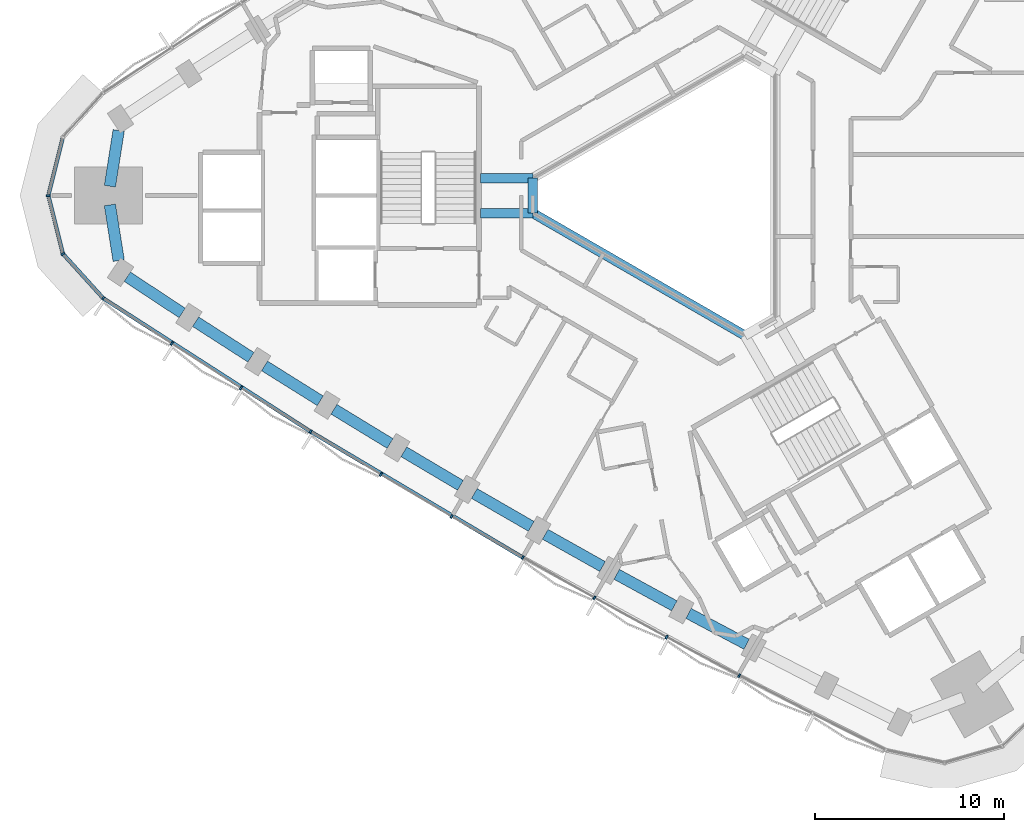
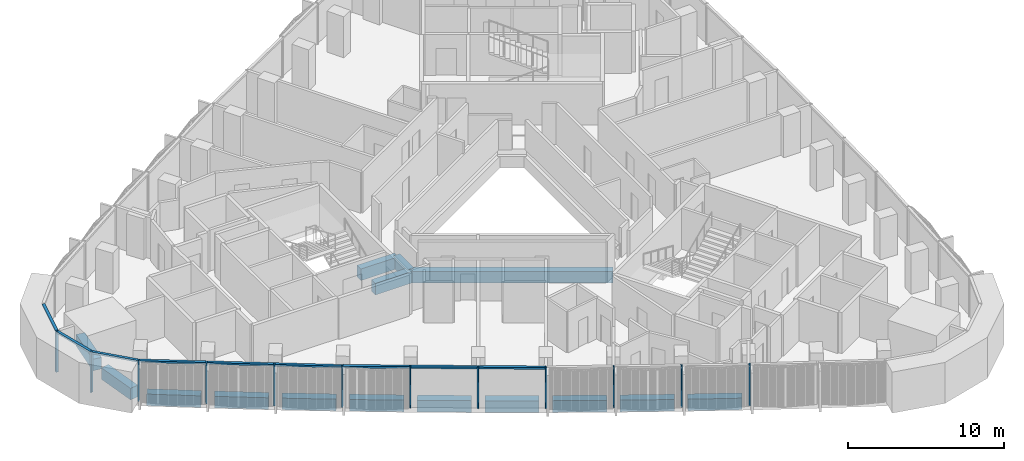
# One storey, part 2 of 15: 17 members, 15 beams, 2 elements without a shape of their own.
"""IFC4 building model written with IfcOpenShell, lengths in metres."""

from ifc_helpers import new_model, si_unit, direction, frame, origin, origin_2d, place, context, subcontext, project, spatial, rectangle, extrude, material, material_profile, profile_set, type_object, element, aggregate, save


model = new_model("IFC4")

# Units and contexts
model_context = context("Model", 3, precision=1e-05, world=origin(), true_north=direction((0.0, 1.0)))
body_context = subcontext(model_context, "Body", "Model", "MODEL_VIEW")
ifc_project = project(units=[si_unit("LENGTHUNIT", "METRE"), si_unit("AREAUNIT", "SQUARE_METRE"), si_unit("VOLUMEUNIT", "CUBIC_METRE"), si_unit("PLANEANGLEUNIT", "RADIAN"), si_unit("MASSUNIT", "GRAM", prefix="KILO")], contexts=[model_context])

# Site, building, storey
site_placement = place(None, origin())
site = spatial("IfcSite", under=ifc_project, at=site_placement, CompositionType="ELEMENT")
building_placement = place(site_placement, origin())
building = spatial("IfcBuilding", under=site, at=building_placement, Name="Tamra Quay Hotel Tower", CompositionType="ELEMENT")
storey_placement = place(building_placement, frame((0.0, 0.0, 136.0)))
storey = spatial("IfcBuildingStorey", under=building, at=storey_placement, Name="L33", CompositionType="ELEMENT", Elevation=136.0)

# Beams
ifc_material_1 = material(Name="Concrete M60", Category="concrete")
ifc_material_profile_1 = material_profile(ifc_material_1, rectangle(XDim=0.5, YDim=0.89990234375, at=origin_2d()), Name="ATRIUM EDGE BEAM RC 500x900")
ifc_profile_set_1 = profile_set([ifc_material_profile_1], Name="Concrete M60")
beam_type_1 = type_object("IfcBeamType", Name="ATRIUM EDGE BEAM RC 500x900", PredefinedType="BEAM", material=ifc_profile_set_1)
beam_1_placement = place(storey_placement, frame((3.199951171875, -7.39013671875, -0.85009765625), z_axis=(-0.866024942741, 0.500000798549, 0.0), x_axis=(-0.500000798549, -0.866024942741, 0.0)))
element("IfcBeam", 1, at=beam_1_placement, inside=storey, type_object=beam_type_1, Name="BM-AB2-L33", PredefinedType="BEAM", context=body_context, shape_type="SweptSolid", body=[
    extrude(rectangle(XDim=0.5, YDim=0.89990234375, at=origin_2d()), origin(), (0.0, 0.0, 1.0), 12.9326171875),
])
beam_2_placement = place(storey_placement, frame((-8.0, -0.923828125, -0.85009765625), z_axis=(0.0, 1.0, 0.0), x_axis=(-1.0, 0.0, 0.0)))
element("IfcBeam", 2, at=beam_2_placement, inside=storey, type_object=beam_type_1, Name="BM-AB3-L33", PredefinedType="BEAM", context=body_context, shape_type="SweptSolid", body=[
    extrude(rectangle(XDim=0.5, YDim=0.89990234375, at=origin_2d()), origin(), (0.0, 0.0, 1.0), 1.84765625),
])
ifc_material_profile_2 = material_profile(ifc_material_1, rectangle(XDim=0.5, YDim=0.89990234375, at=origin_2d()), Name="ATRIUM TIE BEAM RC 500x900")
ifc_profile_set_2 = profile_set([ifc_material_profile_2], Name="Concrete M60")
beam_type_2 = type_object("IfcBeamType", Name="ATRIUM TIE BEAM RC 500x900", PredefinedType="BEAM", material=ifc_profile_set_2)
for number, where, z_axis, x_axis, name in (
    (3, (-8.0, -0.923828125, -0.85009765625), (-1.0, 0.0, 0.0), (0.0, -1.0, 0.0), "BM-TIE-3-L33"),
    (4, (-8.0, 0.923828125, -0.85009765625), (-1.0, 0.0, 0.0), (0.0, -1.0, 0.0), "BM-TIE-4-L33"),
):
    element("IfcBeam", number, at=place(storey_placement, frame(where, z_axis=z_axis, x_axis=x_axis)), inside=storey, type_object=beam_type_2, Name=name, PredefinedType="BEAM", context=body_context, shape_type="SweptSolid", body=[
        extrude(rectangle(XDim=0.5, YDim=0.89990234375, at=origin_2d()), origin(), (0.0, 0.0, 1.0), 2.76220703125),
    ])

# Curtain wall, members
ifc_material_2 = material(Name="Aluminium 6063 anodised dark grey", Category="aluminium")
curtain_wall_type_1 = type_object("IfcCurtainWallType", Name="CW2 CURTAIN WALL", PredefinedType="NOTDEFINED", material=ifc_material_2)
curtain_wall_1_placement = place(storey_placement, origin())
curtain_wall_1 = element("IfcCurtainWall", 5, at=curtain_wall_1_placement, inside=storey, type_object=curtain_wall_type_1, Name="CW2 north-west face L33", PredefinedType="NOTDEFINED")
ifc_material_profile_3 = material_profile(ifc_material_2, rectangle(XDim=0.199951171875, YDim=0.10009765625, at=origin_2d()), Name="MULLION 100X200")
ifc_profile_set_3 = profile_set([ifc_material_profile_3], Name="Aluminium 6063 anodised dark grey")
member_type_1 = type_object("IfcMemberType", Name="MULLION CW2 Z3", PredefinedType="MULLION", material=ifc_profile_set_3)
member_1_placement = place(storey_placement, frame((-33.588134765625, 0.0, 0.0), z_axis=(0.0, 0.0, 1.0), x_axis=(-1.0, 0.0, 0.0)))
member_1 = element("IfcMember", 6, at=member_1_placement, type_object=member_type_1, Name="CW2 mullion L33.NW.14", PredefinedType="MULLION", context=body_context, shape_type="SweptSolid", body=[
    extrude(rectangle(XDim=0.199951171875, YDim=0.10009765625, at=origin_2d()), origin(), (0.0, 0.0, 1.0), 3.199951171875),
])
member_2_placement = place(storey_placement, frame((-32.81787109375, -3.075439453125, 0.0), z_axis=(0.0, 0.0, 1.0), x_axis=(-0.881925145425, -0.47138947577, 0.0)))
member_2 = element("IfcMember", 7, at=member_2_placement, type_object=member_type_1, Name="CW2 mullion L33.NW.15", PredefinedType="MULLION", context=body_context, shape_type="SweptSolid", body=[
    extrude(rectangle(XDim=0.199951171875, YDim=0.10009765625, at=origin_2d()), origin(), (0.0, 0.0, 1.0), 3.199951171875),
])

curtain_wall_type_2 = type_object("IfcCurtainWallType", Name="CW3 CURTAIN WALL", PredefinedType="NOTDEFINED", material=ifc_material_2)
curtain_wall_2_placement = place(storey_placement, origin())
curtain_wall_2 = element("IfcCurtainWall", 8, at=curtain_wall_2_placement, inside=storey, type_object=curtain_wall_type_2, Name="CW3 south-west face L33", PredefinedType="NOTDEFINED")
ifc_material_profile_4 = material_profile(ifc_material_2, rectangle(XDim=0.199951171875, YDim=0.10009765625, at=origin_2d()), Name="MULLION 100X200")
ifc_profile_set_4 = profile_set([ifc_material_profile_4], Name="Aluminium 6063 anodised dark grey")
member_type_2 = type_object("IfcMemberType", Name="MULLION CW3 Z3", PredefinedType="MULLION", material=ifc_profile_set_4)
member_3_placement = place(storey_placement, frame((-30.688720703125, -5.424560546875, 0.0), z_axis=(0.0, 0.0, 1.0), x_axis=(-0.650989312843, -0.759086895266, 0.0)))
member_3 = element("IfcMember", 9, at=member_3_placement, type_object=member_type_2, Name="CW3 mullion L33.SW.1", PredefinedType="MULLION", context=body_context, shape_type="SweptSolid", body=[
    extrude(rectangle(XDim=0.199951171875, YDim=0.10009765625, at=origin_2d()), origin(), (0.0, 0.0, 1.0), 3.199951171875),
])
member_4_placement = place(storey_placement, frame((-27.064697265625, -7.81591796875, 0.0), z_axis=(0.0, 0.0, 1.0), x_axis=(-0.545780314448, -0.837928307411, 0.0)))
member_4 = element("IfcMember", 10, at=member_4_placement, type_object=member_type_2, Name="CW3 mullion L33.SW.2", PredefinedType="MULLION", context=body_context, shape_type="SweptSolid", body=[
    extrude(rectangle(XDim=0.199951171875, YDim=0.10009765625, at=origin_2d()), origin(), (0.0, 0.0, 1.0), 3.199951171875),
])
member_5_placement = place(storey_placement, frame((-23.41259765625, -10.163818359375, 0.0), z_axis=(0.0, 0.0, 1.0), x_axis=(-0.535760125246, -0.844370231709, 0.0)))
member_5 = element("IfcMember", 11, at=member_5_placement, type_object=member_type_2, Name="CW3 mullion L33.SW.3", PredefinedType="MULLION", context=body_context, shape_type="SweptSolid", body=[
    extrude(rectangle(XDim=0.199951171875, YDim=0.10009765625, at=origin_2d()), origin(), (0.0, 0.0, 1.0), 3.199951171875),
])
member_6_placement = place(storey_placement, frame((-19.73193359375, -12.468505859375, 0.0), z_axis=(0.0, 0.0, 1.0), x_axis=(-0.525646005383, -0.850703401325, 0.0)))
member_6 = element("IfcMember", 12, at=member_6_placement, type_object=member_type_2, Name="CW3 mullion L33.SW.4", PredefinedType="MULLION", context=body_context, shape_type="SweptSolid", body=[
    extrude(rectangle(XDim=0.199951171875, YDim=0.10009765625, at=origin_2d()), origin(), (0.0, 0.0, 1.0), 3.199951171875),
])
member_7_placement = place(storey_placement, frame((-16.024169921875, -14.72900390625, 0.0), z_axis=(0.0, 0.0, 1.0), x_axis=(-0.515444821911, -0.856922771062, 0.0)))
member_7 = element("IfcMember", 13, at=member_7_placement, type_object=member_type_2, Name="CW3 mullion L33.SW.5", PredefinedType="MULLION", context=body_context, shape_type="SweptSolid", body=[
    extrude(rectangle(XDim=0.199951171875, YDim=0.10009765625, at=origin_2d()), origin(), (0.0, 0.0, 1.0), 3.199951171875),
])
member_8_placement = place(storey_placement, frame((-12.290283203125, -16.94482421875, 0.0), z_axis=(0.0, 0.0, 1.0), x_axis=(-0.505168700956, -0.863020615961, 0.0)))
member_8 = element("IfcMember", 14, at=member_8_placement, type_object=member_type_2, Name="CW3 mullion L33.SW.6", PredefinedType="MULLION", context=body_context, shape_type="SweptSolid", body=[
    extrude(rectangle(XDim=0.199951171875, YDim=0.10009765625, at=origin_2d()), origin(), (0.0, 0.0, 1.0), 3.199951171875),
])
member_9_placement = place(storey_placement, frame((-8.529541015625, -19.1162109375, 0.0), z_axis=(0.0, 0.0, 1.0), x_axis=(-0.494813426934, -0.868999236205, 0.0)))
member_9 = element("IfcMember", 15, at=member_9_placement, type_object=member_type_2, Name="CW3 mullion L33.SW.7", PredefinedType="MULLION", context=body_context, shape_type="SweptSolid", body=[
    extrude(rectangle(XDim=0.199951171875, YDim=0.10009765625, at=origin_2d()), origin(), (0.0, 0.0, 1.0), 3.199951171875),
])
member_10_placement = place(storey_placement, frame((-4.74365234375, -21.241943359375, 0.0), z_axis=(0.0, 0.0, 1.0), x_axis=(-0.484394477866, -0.874849695555, 0.0)))
member_10 = element("IfcMember", 16, at=member_10_placement, type_object=member_type_2, Name="CW3 mullion L33.SW.8", PredefinedType="MULLION", context=body_context, shape_type="SweptSolid", body=[
    extrude(rectangle(XDim=0.199951171875, YDim=0.10009765625, at=origin_2d()), origin(), (0.0, 0.0, 1.0), 3.199951171875),
])
member_11_placement = place(storey_placement, frame((-0.93212890625, -23.32275390625, 0.0), z_axis=(0.0, 0.0, 1.0), x_axis=(-0.473907753941, -0.880574494722, 0.0)))
member_11 = element("IfcMember", 17, at=member_11_placement, type_object=member_type_2, Name="CW3 mullion L33.SW.9", PredefinedType="MULLION", context=body_context, shape_type="SweptSolid", body=[
    extrude(rectangle(XDim=0.199951171875, YDim=0.10009765625, at=origin_2d()), origin(), (0.0, 0.0, 1.0), 3.199951171875),
])
member_12_placement = place(storey_placement, frame((2.904052734375, -25.357666015625, 0.0), z_axis=(0.0, 0.0, 1.0), x_axis=(-0.463366008237, -0.886166994652, 0.0)))
member_12 = element("IfcMember", 18, at=member_12_placement, type_object=member_type_2, Name="CW3 mullion L33.SW.10", PredefinedType="MULLION", context=body_context, shape_type="SweptSolid", body=[
    extrude(rectangle(XDim=0.199951171875, YDim=0.10009765625, at=origin_2d()), origin(), (0.0, 0.0, 1.0), 3.199951171875),
])

# Beams
ifc_material_profile_5 = material_profile(ifc_material_1, rectangle(XDim=0.60009765625, YDim=0.89990234375, at=origin_2d()), Name="SPANDREL BEAM RC 600x900")
ifc_profile_set_5 = profile_set([ifc_material_profile_5], Name="Concrete M60")
beam_type_3 = type_object("IfcBeamType", Name="SPANDREL BEAM RC 600x900", PredefinedType="SPANDREL", material=ifc_profile_set_5)
for number, where, z_axis, x_axis, name in (
    (19, (-29.87060546875, 3.434814453125, -0.85009765625), (-0.156337236308, -0.987703735208, 0.0), (0.987703735208, -0.156337236308, 0.0), "BM-SP3-024-L33"),
    (20, (-30.336181640625, -0.493408203125, -0.85009765625), (0.156337236308, -0.987703735208, 0.0), (0.987703735208, 0.156337236308, 0.0), "BM-SP3-025-L33"),
):
    element("IfcBeam", number, at=place(storey_placement, frame(where, z_axis=z_axis, x_axis=x_axis)), inside=storey, type_object=beam_type_3, Name=name, PredefinedType="SPANDREL", context=body_context, shape_type="SweptSolid", body=[
        extrude(rectangle(XDim=0.60009765625, YDim=0.89990234375, at=origin_2d()), origin(), (0.0, 0.0, 1.0), 2.97802734375),
    ])
beam_3_placement = place(storey_placement, frame((-29.41796875, -4.28759765625, -0.85009765625), z_axis=(0.834690851507, -0.55071878705, 0.0), x_axis=(0.55071878705, 0.834690851507, 0.0)))
element("IfcBeam", 21, at=beam_3_placement, inside=storey, type_object=beam_type_3, Name="BM-SP3-026-L33", PredefinedType="SPANDREL", context=body_context, shape_type="SweptSolid", body=[
    extrude(rectangle(XDim=0.60009765625, YDim=0.89990234375, at=origin_2d()), origin(), (0.0, 0.0, 1.0), 3.472412109375),
])
beam_4_placement = place(storey_placement, frame((-25.807373046875, -6.663818359375, -0.85009765625), z_axis=(0.84116020305, -0.540786013878, 0.0), x_axis=(0.540786013878, 0.84116020305, 0.0)))
element("IfcBeam", 22, at=beam_4_placement, inside=storey, type_object=beam_type_3, Name="BM-SP3-027-L33", PredefinedType="SPANDREL", context=body_context, shape_type="SweptSolid", body=[
    extrude(rectangle(XDim=0.60009765625, YDim=0.89990234375, at=origin_2d()), origin(), (0.0, 0.0, 1.0), 3.47314453125),
])
for number, where, z_axis, x_axis, name in (
    (23, (-22.168212890625, -8.997314453125, -0.85009765625), (0.847547681474, -0.530719255, 0.0), (0.530719255, 0.847547681474, 0.0), "BM-SP3-028-L33"),
    (24, (-18.502197265625, -11.287109375, -0.85009765625), (0.853835813207, -0.520542413339, 0.0), (0.520542413339, 0.853835813207, 0.0), "BM-SP3-029-L33"),
):
    element("IfcBeam", number, at=place(storey_placement, frame(where, z_axis=z_axis, x_axis=x_axis)), inside=storey, type_object=beam_type_3, Name=name, PredefinedType="SPANDREL", context=body_context, shape_type="SweptSolid", body=[
        extrude(rectangle(XDim=0.60009765625, YDim=0.89990234375, at=origin_2d()), origin(), (0.0, 0.0, 1.0), 3.47216796875),
    ])
beam_5_placement = place(storey_placement, frame((-14.80908203125, -13.53271484375, -0.85009765625), z_axis=(0.859988767784, -0.510312962098, 0.0), x_axis=(0.510312962098, 0.859988767784, 0.0)))
element("IfcBeam", 25, at=beam_5_placement, inside=storey, type_object=beam_type_3, Name="BM-SP3-030-L33", PredefinedType="SPANDREL", context=body_context, shape_type="SweptSolid", body=[
    extrude(rectangle(XDim=0.60009765625, YDim=0.89990234375, at=origin_2d()), origin(), (0.0, 0.0, 1.0), 3.472900390625),
])
beam_6_placement = place(storey_placement, frame((-11.0888671875, -15.734375, -0.85009765625), z_axis=(0.866032201241, -0.499988226275, 0.0), x_axis=(0.499988226275, 0.866032201241, 0.0)))
element("IfcBeam", 26, at=beam_6_placement, inside=storey, type_object=beam_type_3, Name="BM-SP3-031-L33", PredefinedType="SPANDREL", context=body_context, shape_type="SweptSolid", body=[
    extrude(rectangle(XDim=0.60009765625, YDim=0.89990234375, at=origin_2d()), origin(), (0.0, 0.0, 1.0), 3.47216796875),
])
beam_7_placement = place(storey_placement, frame((-7.34326171875, -17.89111328125, -0.85009765625), z_axis=(0.871956406858, -0.489583521516, 0.0), x_axis=(0.489583521516, 0.871956406858, 0.0)))
element("IfcBeam", 27, at=beam_7_placement, inside=storey, type_object=beam_type_3, Name="BM-SP3-032-L33", PredefinedType="SPANDREL", context=body_context, shape_type="SweptSolid", body=[
    extrude(rectangle(XDim=0.60009765625, YDim=0.89990234375, at=origin_2d()), origin(), (0.0, 0.0, 1.0), 3.47265625),
])
for number, where, z_axis, x_axis, name in (
    (28, (-3.571533203125, -20.003173828125, -0.85009765625), (0.877731617539, -0.479152593202, 0.0), (0.479152593202, 0.877731617539, 0.0), "BM-SP3-033-L33"),
    (29, (0.224609375, -22.06982421875, -0.85009765625), (0.883411391477, -0.468598243071, 0.0), (0.468598243071, 0.883411391477, 0.0), "BM-SP3-034-L33"),
):
    element("IfcBeam", number, at=place(storey_placement, frame(where, z_axis=z_axis, x_axis=x_axis)), inside=storey, type_object=beam_type_3, Name=name, PredefinedType="SPANDREL", context=body_context, shape_type="SweptSolid", body=[
        extrude(rectangle(XDim=0.60009765625, YDim=0.89990234375, at=origin_2d()), origin(), (0.0, 0.0, 1.0), 3.472412109375),
    ])

# Member
ifc_material_profile_6 = material_profile(ifc_material_2, rectangle(XDim=0.199951171875, YDim=0.139892578125, at=origin_2d()), Name="TRANSOM 200X140")
ifc_profile_set_6 = profile_set([ifc_material_profile_6], Name="Aluminium 6063 anodised dark grey")
member_type_3 = type_object("IfcMemberType", Name="TRANSOM CW2 Z3", PredefinedType="USERDEFINED", material=ifc_profile_set_6)
member_13_placement = place(storey_placement, frame((-32.830078125, 3.02685546875, 3.1298828125), z_axis=(-0.243003342732, -0.970025450914, 0.0), x_axis=(0.970025450914, -0.243003342732, 0.0)))
member_13 = element("IfcMember", 30, at=member_13_placement, type_object=member_type_3, Name="CW2 transom L33.NW.13", ObjectType="TRANSOM", PredefinedType="USERDEFINED", context=body_context, shape_type="SweptSolid", body=[
    extrude(rectangle(XDim=0.199951171875, YDim=0.139892578125, at=origin_2d()), origin(), (0.0, 0.0, 1.0), 3.0703125),
])

member_14_placement = place(storey_placement, frame((-33.576171875, -0.048583984375, 3.1298828125), z_axis=(0.243003342732, -0.970025450914, 0.0), x_axis=(0.970025450914, 0.243003342732, 0.0)))
member_14 = element("IfcMember", 31, at=member_14_placement, type_object=member_type_3, Name="CW2 transom L33.NW.14", ObjectType="TRANSOM", PredefinedType="USERDEFINED", context=body_context, shape_type="SweptSolid", body=[
    extrude(rectangle(XDim=0.199951171875, YDim=0.139892578125, at=origin_2d()), origin(), (0.0, 0.0, 1.0), 3.0703125),
])

member_15_placement = place(storey_placement, frame((-32.784423828125, -3.1123046875, 3.1298828125), z_axis=(0.671548073699, -0.740960987307, 0.0), x_axis=(0.740960987307, 0.671548073699, 0.0)))
member_15 = element("IfcMember", 32, at=member_15_placement, type_object=member_type_3, Name="CW2 transom L33.NW.15", ObjectType="TRANSOM", PredefinedType="USERDEFINED", context=body_context, shape_type="SweptSolid", body=[
    extrude(rectangle(XDim=0.199951171875, YDim=0.139892578125, at=origin_2d()), origin(), (0.0, 0.0, 1.0), 3.070556640625),
])

aggregate(curtain_wall_1, [member_13, member_1, member_14, member_2, member_15])

ifc_material_profile_7 = material_profile(ifc_material_2, rectangle(XDim=0.199951171875, YDim=0.139892578125, at=origin_2d()), Name="TRANSOM 200X140")
ifc_profile_set_7 = profile_set([ifc_material_profile_7], Name="Aluminium 6063 anodised dark grey")
member_type_4 = type_object("IfcMemberType", Name="TRANSOM CW3 Z3", PredefinedType="USERDEFINED", material=ifc_profile_set_7)
member_16_placement = place(storey_placement, frame((-30.647216796875, -5.451904296875, 3.1298828125), z_axis=(0.841166815222, -0.540775728901, 0.0), x_axis=(0.540775728901, 0.841166815222, 0.0)))
member_16 = element("IfcMember", 33, at=member_16_placement, type_object=member_type_4, Name="CW3 transom L33.SW.1", ObjectType="TRANSOM", PredefinedType="USERDEFINED", context=body_context, shape_type="SweptSolid", body=[
    extrude(rectangle(XDim=0.199951171875, YDim=0.139892578125, at=origin_2d()), origin(), (0.0, 0.0, 1.0), 12.92578125),
])

member_17_placement = place(storey_placement, frame((-19.689208984375, -12.49462890625, 3.1298828125), z_axis=(0.859989187886, -0.510312254134, 0.0), x_axis=(0.510312254134, 0.859989187886, 0.0)))
member_17 = element("IfcMember", 34, at=member_17_placement, type_object=member_type_4, Name="CW3 transom L33.SW.4", ObjectType="TRANSOM", PredefinedType="USERDEFINED", context=body_context, shape_type="SweptSolid", body=[
    extrude(rectangle(XDim=0.199951171875, YDim=0.139892578125, at=origin_2d()), origin(), (0.0, 0.0, 1.0), 12.92626953125),
])

aggregate(curtain_wall_2, [member_3, member_16, member_4, member_5, member_6, member_17, member_7, member_8, member_9, member_10, member_11, member_12])

save(model, "model.ifc")
